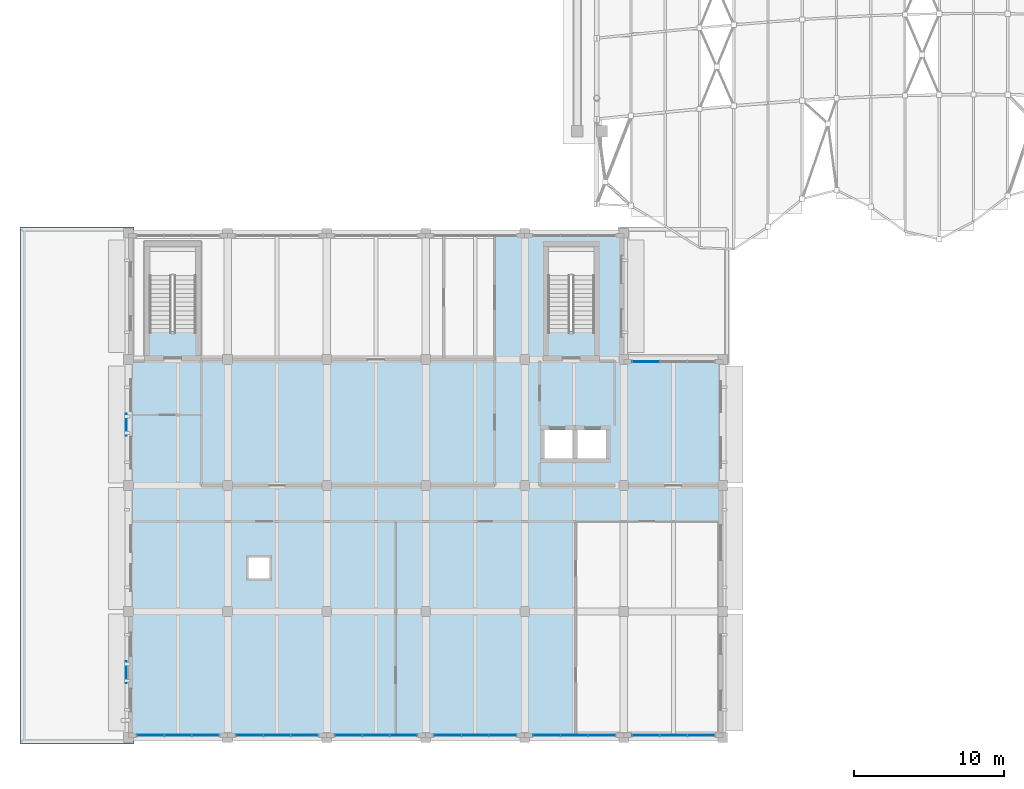
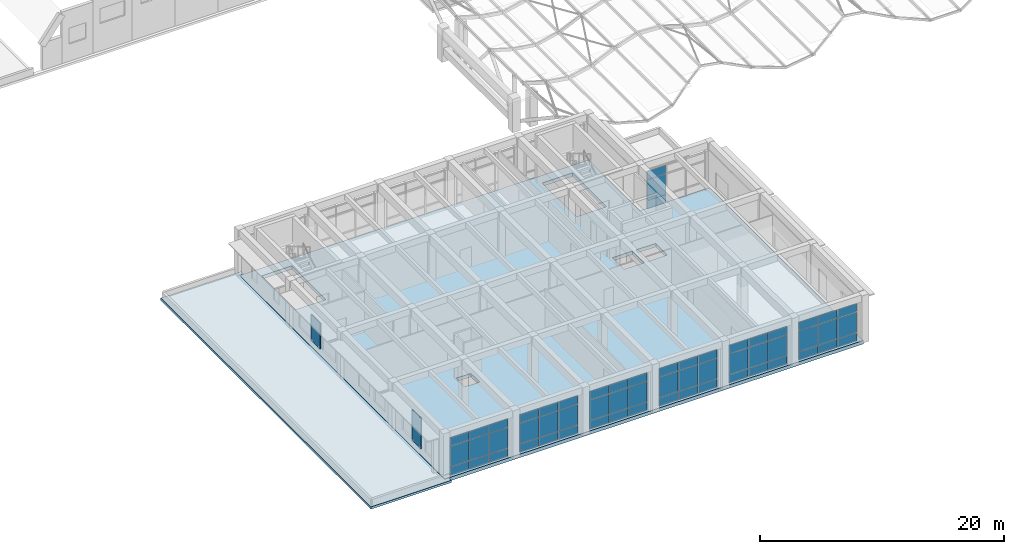
# One storey, part 33 of 79: 59 plates, 2 slabs, 7 elements without a shape of their own.
"""IFC4 building model written with IfcOpenShell, lengths in metres."""

from ifc_helpers import new_model, si_unit, direction, frame, origin, origin_2d, place, context, subcontext, project, spatial, polyline, rectangle, outline, extrude, material, layer, layer_set, type_object, element, aggregate, save


model = new_model("IFC4")

# Units and contexts
model_context = context("Model", 3, precision=1e-05, world=origin(), true_north=direction((0.0, 1.0)))
body_context = subcontext(model_context, "Body", "Model", "MODEL_VIEW")
ifc_project = project(units=[si_unit("LENGTHUNIT", "METRE"), si_unit("AREAUNIT", "SQUARE_METRE"), si_unit("VOLUMEUNIT", "CUBIC_METRE"), si_unit("PLANEANGLEUNIT", "RADIAN"), si_unit("MASSUNIT", "GRAM", prefix="KILO")], contexts=[model_context])

# Site, building, storey
site_placement = place(None, origin())
site = spatial("IfcSite", under=ifc_project, at=site_placement, CompositionType="ELEMENT")
building_placement = place(site_placement, origin())
building = spatial("IfcBuilding", under=site, at=building_placement, Name="Kolvaren Faculty of Natural Sciences", CompositionType="ELEMENT")
storey_placement = place(building_placement, frame((0.0, 0.0, 10.199951171875)))
storey = spatial("IfcBuildingStorey", under=building, at=storey_placement, Name="L02", CompositionType="ELEMENT", Elevation=10.199951171875)

# Curtain wall, plate
ifc_material_1 = material(Name="Thermally broken anodised aluminium framing", Category="aluminium")
ifc_layer_1 = layer(ifc_material_1, 0.179931640625)
ifc_layer_set_1 = layer_set([ifc_layer_1], Name="Thermally broken anodised aluminium framing")
curtain_wall_type = type_object("IfcCurtainWallType", Name="CommonsCurtainWall_CW02", PredefinedType="NOTDEFINED", material=ifc_layer_set_1)
curtain_wall_1_placement = place(storey_placement, origin())
curtain_wall_1 = element("IfcCurtainWall", 1, at=curtain_wall_1_placement, inside=storey, type_object=curtain_wall_type, Name="L02 unitised curtain wall CW-02 (CW-L02-076)", PredefinedType="NOTDEFINED")
ifc_material_2 = material(Name="Double low-E solar control insulated glazing", Category="glass")
ifc_layer_2 = layer(ifc_material_2, 0.035888671875)
ifc_layer_set_2 = layer_set([ifc_layer_2], Name="Double low-E solar control insulated glazing")
plate_type_1 = type_object("IfcPlateType", Name="EnvelopePlate_CWPGL1", PredefinedType="CURTAIN_PANEL", material=ifc_layer_set_2)
plate_1_placement = place(storey_placement, frame((41.2666015625, 33.64990234375, 0.920166015625), z_axis=(0.0, 0.0, 1.0), x_axis=(1.0, 0.0, 0.0)))
plate_1 = element("IfcPlate", 2, at=plate_1_placement, type_object=plate_type_1, Name="CW-L02-076 panel 1 V1", PredefinedType="CURTAIN_PANEL", context=body_context, shape_type="SweptSolid", body=[
    extrude(rectangle(XDim=1.783203125, YDim=0.035888671875, at=origin_2d()), origin(), (0.0, 0.0, 1.0), 2.044921875),
])

# Curtain wall, plates
curtain_wall_2_placement = place(storey_placement, origin())
curtain_wall_2 = element("IfcCurtainWall", 3, at=curtain_wall_2_placement, inside=storey, type_object=curtain_wall_type, Name="L02 unitised curtain wall CW-02 (CW-L02-077)", PredefinedType="NOTDEFINED")
plate_2_placement = place(storey_placement, frame((44.933349609375, 8.75, 0.920166015625), z_axis=(0.0, 0.0, 1.0), x_axis=(-1.0, 0.0, 0.0)))
plate_2 = element("IfcPlate", 4, at=plate_2_placement, type_object=plate_type_1, Name="CW-L02-077 panel 1 V1", PredefinedType="CURTAIN_PANEL", context=body_context, shape_type="SweptSolid", body=[
    extrude(rectangle(XDim=1.783203125, YDim=0.035888671875, at=origin_2d()), origin(), (0.0, 0.0, 1.0), 2.044921875),
])
plate_3_placement = place(storey_placement, frame((43.10009765625, 8.75, 0.920166015625), z_axis=(0.0, 0.0, 1.0), x_axis=(-1.0, 0.0, 0.0)))
plate_3 = element("IfcPlate", 5, at=plate_3_placement, type_object=plate_type_1, Name="CW-L02-077 panel 2 V1", PredefinedType="CURTAIN_PANEL", context=body_context, shape_type="SweptSolid", body=[
    extrude(rectangle(XDim=1.783203125, YDim=0.035888671875, at=origin_2d()), origin(), (0.0, 0.0, 1.0), 2.044921875),
])
plate_4_placement = place(storey_placement, frame((41.2666015625, 8.75, 0.920166015625), z_axis=(0.0, 0.0, 1.0), x_axis=(-1.0, 0.0, 0.0)))
plate_4 = element("IfcPlate", 6, at=plate_4_placement, type_object=plate_type_1, Name="CW-L02-077 panel 3 V1", PredefinedType="CURTAIN_PANEL", context=body_context, shape_type="SweptSolid", body=[
    extrude(rectangle(XDim=1.783203125, YDim=0.035888671875, at=origin_2d()), origin(), (0.0, 0.0, 1.0), 2.044921875),
])

curtain_wall_3_placement = place(storey_placement, origin())
curtain_wall_3 = element("IfcCurtainWall", 7, at=curtain_wall_3_placement, inside=storey, type_object=curtain_wall_type, Name="L02 unitised curtain wall CW-02 (CW-L02-078)", PredefinedType="NOTDEFINED")
plate_5_placement = place(storey_placement, frame((38.333251953125, 8.75, 0.920166015625), z_axis=(0.0, 0.0, 1.0), x_axis=(-1.0, 0.0, 0.0)))
plate_5 = element("IfcPlate", 8, at=plate_5_placement, type_object=plate_type_1, Name="CW-L02-078 panel 1 V1", PredefinedType="CURTAIN_PANEL", context=body_context, shape_type="SweptSolid", body=[
    extrude(rectangle(XDim=1.783203125, YDim=0.035888671875, at=origin_2d()), origin(), (0.0, 0.0, 1.0), 2.044921875),
])
plate_6_placement = place(storey_placement, frame((36.5, 8.75, 0.920166015625), z_axis=(0.0, 0.0, 1.0), x_axis=(-1.0, 0.0, 0.0)))
plate_6 = element("IfcPlate", 9, at=plate_6_placement, type_object=plate_type_1, Name="CW-L02-078 panel 2 V1", PredefinedType="CURTAIN_PANEL", context=body_context, shape_type="SweptSolid", body=[
    extrude(rectangle(XDim=1.783203125, YDim=0.035888671875, at=origin_2d()), origin(), (0.0, 0.0, 1.0), 2.044921875),
])
plate_7_placement = place(storey_placement, frame((34.666748046875, 8.75, 0.920166015625), z_axis=(0.0, 0.0, 1.0), x_axis=(-1.0, 0.0, 0.0)))
plate_7 = element("IfcPlate", 10, at=plate_7_placement, type_object=plate_type_1, Name="CW-L02-078 panel 3 V1", PredefinedType="CURTAIN_PANEL", context=body_context, shape_type="SweptSolid", body=[
    extrude(rectangle(XDim=1.783203125, YDim=0.035888671875, at=origin_2d()), origin(), (0.0, 0.0, 1.0), 2.044921875),
])

curtain_wall_4_placement = place(storey_placement, origin())
curtain_wall_4 = element("IfcCurtainWall", 11, at=curtain_wall_4_placement, inside=storey, type_object=curtain_wall_type, Name="L02 unitised curtain wall CW-02 (CW-L02-079)", PredefinedType="NOTDEFINED")
plate_8_placement = place(storey_placement, frame((31.7333984375, 8.75, 0.920166015625), z_axis=(0.0, 0.0, 1.0), x_axis=(-1.0, 0.0, 0.0)))
plate_8 = element("IfcPlate", 12, at=plate_8_placement, type_object=plate_type_1, Name="CW-L02-079 panel 1 V1", PredefinedType="CURTAIN_PANEL", context=body_context, shape_type="SweptSolid", body=[
    extrude(rectangle(XDim=1.783203125, YDim=0.035888671875, at=origin_2d()), origin(), (0.0, 0.0, 1.0), 2.044921875),
])
plate_9_placement = place(storey_placement, frame((29.89990234375, 8.75, 0.920166015625), z_axis=(0.0, 0.0, 1.0), x_axis=(-1.0, 0.0, 0.0)))
plate_9 = element("IfcPlate", 13, at=plate_9_placement, type_object=plate_type_1, Name="CW-L02-079 panel 2 V1", PredefinedType="CURTAIN_PANEL", context=body_context, shape_type="SweptSolid", body=[
    extrude(rectangle(XDim=1.783203125, YDim=0.035888671875, at=origin_2d()), origin(), (0.0, 0.0, 1.0), 2.044921875),
])
plate_10_placement = place(storey_placement, frame((28.066650390625, 8.75, 0.920166015625), z_axis=(0.0, 0.0, 1.0), x_axis=(-1.0, 0.0, 0.0)))
plate_10 = element("IfcPlate", 14, at=plate_10_placement, type_object=plate_type_1, Name="CW-L02-079 panel 3 V1", PredefinedType="CURTAIN_PANEL", context=body_context, shape_type="SweptSolid", body=[
    extrude(rectangle(XDim=1.783203125, YDim=0.035888671875, at=origin_2d()), origin(), (0.0, 0.0, 1.0), 2.044921875),
])

curtain_wall_5_placement = place(storey_placement, origin())
curtain_wall_5 = element("IfcCurtainWall", 15, at=curtain_wall_5_placement, inside=storey, type_object=curtain_wall_type, Name="L02 unitised curtain wall CW-02 (CW-L02-080)", PredefinedType="NOTDEFINED")
plate_11_placement = place(storey_placement, frame((25.13330078125, 8.75, 0.920166015625), z_axis=(0.0, 0.0, 1.0), x_axis=(-1.0, 0.0, 0.0)))
plate_11 = element("IfcPlate", 16, at=plate_11_placement, type_object=plate_type_1, Name="CW-L02-080 panel 1 V1", PredefinedType="CURTAIN_PANEL", context=body_context, shape_type="SweptSolid", body=[
    extrude(rectangle(XDim=1.783203125, YDim=0.035888671875, at=origin_2d()), origin(), (0.0, 0.0, 1.0), 2.044921875),
])
plate_12_placement = place(storey_placement, frame((23.300048828125, 8.75, 0.920166015625), z_axis=(0.0, 0.0, 1.0), x_axis=(-1.0, 0.0, 0.0)))
plate_12 = element("IfcPlate", 17, at=plate_12_placement, type_object=plate_type_1, Name="CW-L02-080 panel 2 V1", PredefinedType="CURTAIN_PANEL", context=body_context, shape_type="SweptSolid", body=[
    extrude(rectangle(XDim=1.783203125, YDim=0.035888671875, at=origin_2d()), origin(), (0.0, 0.0, 1.0), 2.044921875),
])
plate_13_placement = place(storey_placement, frame((21.466796875, 8.75, 0.920166015625), z_axis=(0.0, 0.0, 1.0), x_axis=(-1.0, 0.0, 0.0)))
plate_13 = element("IfcPlate", 18, at=plate_13_placement, type_object=plate_type_1, Name="CW-L02-080 panel 3 V1", PredefinedType="CURTAIN_PANEL", context=body_context, shape_type="SweptSolid", body=[
    extrude(rectangle(XDim=1.783203125, YDim=0.035888671875, at=origin_2d()), origin(), (0.0, 0.0, 1.0), 2.044921875),
])

curtain_wall_6_placement = place(storey_placement, origin())
curtain_wall_6 = element("IfcCurtainWall", 19, at=curtain_wall_6_placement, inside=storey, type_object=curtain_wall_type, Name="L02 unitised curtain wall CW-02 (CW-L02-081)", PredefinedType="NOTDEFINED")
plate_14_placement = place(storey_placement, frame((18.533203125, 8.75, 0.920166015625), z_axis=(0.0, 0.0, 1.0), x_axis=(-1.0, 0.0, 0.0)))
plate_14 = element("IfcPlate", 20, at=plate_14_placement, type_object=plate_type_1, Name="CW-L02-081 panel 1 V1", PredefinedType="CURTAIN_PANEL", context=body_context, shape_type="SweptSolid", body=[
    extrude(rectangle(XDim=1.783203125, YDim=0.035888671875, at=origin_2d()), origin(), (0.0, 0.0, 1.0), 2.044921875),
])
plate_15_placement = place(storey_placement, frame((16.699951171875, 8.75, 0.920166015625), z_axis=(0.0, 0.0, 1.0), x_axis=(-1.0, 0.0, 0.0)))
plate_15 = element("IfcPlate", 21, at=plate_15_placement, type_object=plate_type_1, Name="CW-L02-081 panel 2 V1", PredefinedType="CURTAIN_PANEL", context=body_context, shape_type="SweptSolid", body=[
    extrude(rectangle(XDim=1.783203125, YDim=0.035888671875, at=origin_2d()), origin(), (0.0, 0.0, 1.0), 2.044921875),
])
plate_16_placement = place(storey_placement, frame((14.86669921875, 8.75, 0.920166015625), z_axis=(0.0, 0.0, 1.0), x_axis=(-1.0, 0.0, 0.0)))
plate_16 = element("IfcPlate", 22, at=plate_16_placement, type_object=plate_type_1, Name="CW-L02-081 panel 3 V1", PredefinedType="CURTAIN_PANEL", context=body_context, shape_type="SweptSolid", body=[
    extrude(rectangle(XDim=1.783203125, YDim=0.035888671875, at=origin_2d()), origin(), (0.0, 0.0, 1.0), 2.044921875),
])

curtain_wall_7_placement = place(storey_placement, origin())
curtain_wall_7 = element("IfcCurtainWall", 23, at=curtain_wall_7_placement, inside=storey, type_object=curtain_wall_type, Name="L02 unitised curtain wall CW-02 (CW-L02-082)", PredefinedType="NOTDEFINED")
plate_17_placement = place(storey_placement, frame((11.933349609375, 8.75, 0.920166015625), z_axis=(0.0, 0.0, 1.0), x_axis=(-1.0, 0.0, 0.0)))
plate_17 = element("IfcPlate", 24, at=plate_17_placement, type_object=plate_type_1, Name="CW-L02-082 panel 1 V1", PredefinedType="CURTAIN_PANEL", context=body_context, shape_type="SweptSolid", body=[
    extrude(rectangle(XDim=1.783203125, YDim=0.035888671875, at=origin_2d()), origin(), (0.0, 0.0, 1.0), 2.044921875),
])
plate_18_placement = place(storey_placement, frame((10.10009765625, 8.75, 0.920166015625), z_axis=(0.0, 0.0, 1.0), x_axis=(-1.0, 0.0, 0.0)))
plate_18 = element("IfcPlate", 25, at=plate_18_placement, type_object=plate_type_1, Name="CW-L02-082 panel 2 V1", PredefinedType="CURTAIN_PANEL", context=body_context, shape_type="SweptSolid", body=[
    extrude(rectangle(XDim=1.783203125, YDim=0.035888671875, at=origin_2d()), origin(), (0.0, 0.0, 1.0), 2.044921875),
])
plate_19_placement = place(storey_placement, frame((8.2666015625, 8.75, 0.920166015625), z_axis=(0.0, 0.0, 1.0), x_axis=(-1.0, 0.0, 0.0)))
plate_19 = element("IfcPlate", 26, at=plate_19_placement, type_object=plate_type_1, Name="CW-L02-082 panel 3 V1", PredefinedType="CURTAIN_PANEL", context=body_context, shape_type="SweptSolid", body=[
    extrude(rectangle(XDim=1.783203125, YDim=0.035888671875, at=origin_2d()), origin(), (0.0, 0.0, 1.0), 2.044921875),
])

# Plate
ifc_layer_3 = layer(ifc_material_2, 0.035888671875)
ifc_layer_set_3 = layer_set([ifc_layer_3], Name="Double low-E solar control insulated glazing")
plate_type_2 = type_object("IfcPlateType", Name="EnvelopePlate_CWPGL2", PredefinedType="CURTAIN_PANEL", material=ifc_layer_set_3)
plate_20_placement = place(storey_placement, frame((41.2666015625, 33.64990234375, 3.005126953125), z_axis=(0.0, 0.0, 1.0), x_axis=(1.0, 0.0, 0.0)))
plate_20 = element("IfcPlate", 27, at=plate_20_placement, type_object=plate_type_2, Name="CW-L02-076 panel 1 V2", PredefinedType="CURTAIN_PANEL", context=body_context, shape_type="SweptSolid", body=[
    extrude(rectangle(XDim=1.783203125, YDim=0.035888671875, at=origin_2d()), origin(), (0.0, 0.0, 1.0), 0.830078125),
])

plate_21_placement = place(storey_placement, frame((44.933349609375, 8.75, 3.005126953125), z_axis=(0.0, 0.0, 1.0), x_axis=(-1.0, 0.0, 0.0)))
plate_21 = element("IfcPlate", 28, at=plate_21_placement, type_object=plate_type_2, Name="CW-L02-077 panel 1 V2", PredefinedType="CURTAIN_PANEL", context=body_context, shape_type="SweptSolid", body=[
    extrude(rectangle(XDim=1.783203125, YDim=0.035888671875, at=origin_2d()), origin(), (0.0, 0.0, 1.0), 0.830078125),
])

plate_22_placement = place(storey_placement, frame((43.10009765625, 8.75, 3.005126953125), z_axis=(0.0, 0.0, 1.0), x_axis=(-1.0, 0.0, 0.0)))
plate_22 = element("IfcPlate", 29, at=plate_22_placement, type_object=plate_type_2, Name="CW-L02-077 panel 2 V2", PredefinedType="CURTAIN_PANEL", context=body_context, shape_type="SweptSolid", body=[
    extrude(rectangle(XDim=1.783203125, YDim=0.035888671875, at=origin_2d()), origin(), (0.0, 0.0, 1.0), 0.830078125),
])

plate_23_placement = place(storey_placement, frame((41.2666015625, 8.75, 3.005126953125), z_axis=(0.0, 0.0, 1.0), x_axis=(-1.0, 0.0, 0.0)))
plate_23 = element("IfcPlate", 30, at=plate_23_placement, type_object=plate_type_2, Name="CW-L02-077 panel 3 V2", PredefinedType="CURTAIN_PANEL", context=body_context, shape_type="SweptSolid", body=[
    extrude(rectangle(XDim=1.783203125, YDim=0.035888671875, at=origin_2d()), origin(), (0.0, 0.0, 1.0), 0.830078125),
])

plate_24_placement = place(storey_placement, frame((38.333251953125, 8.75, 3.005126953125), z_axis=(0.0, 0.0, 1.0), x_axis=(-1.0, 0.0, 0.0)))
plate_24 = element("IfcPlate", 31, at=plate_24_placement, type_object=plate_type_2, Name="CW-L02-078 panel 1 V2", PredefinedType="CURTAIN_PANEL", context=body_context, shape_type="SweptSolid", body=[
    extrude(rectangle(XDim=1.783203125, YDim=0.035888671875, at=origin_2d()), origin(), (0.0, 0.0, 1.0), 0.830078125),
])

plate_25_placement = place(storey_placement, frame((36.5, 8.75, 3.005126953125), z_axis=(0.0, 0.0, 1.0), x_axis=(-1.0, 0.0, 0.0)))
plate_25 = element("IfcPlate", 32, at=plate_25_placement, type_object=plate_type_2, Name="CW-L02-078 panel 2 V2", PredefinedType="CURTAIN_PANEL", context=body_context, shape_type="SweptSolid", body=[
    extrude(rectangle(XDim=1.783203125, YDim=0.035888671875, at=origin_2d()), origin(), (0.0, 0.0, 1.0), 0.830078125),
])

plate_26_placement = place(storey_placement, frame((34.666748046875, 8.75, 3.005126953125), z_axis=(0.0, 0.0, 1.0), x_axis=(-1.0, 0.0, 0.0)))
plate_26 = element("IfcPlate", 33, at=plate_26_placement, type_object=plate_type_2, Name="CW-L02-078 panel 3 V2", PredefinedType="CURTAIN_PANEL", context=body_context, shape_type="SweptSolid", body=[
    extrude(rectangle(XDim=1.783203125, YDim=0.035888671875, at=origin_2d()), origin(), (0.0, 0.0, 1.0), 0.830078125),
])

plate_27_placement = place(storey_placement, frame((31.7333984375, 8.75, 3.005126953125), z_axis=(0.0, 0.0, 1.0), x_axis=(-1.0, 0.0, 0.0)))
plate_27 = element("IfcPlate", 34, at=plate_27_placement, type_object=plate_type_2, Name="CW-L02-079 panel 1 V2", PredefinedType="CURTAIN_PANEL", context=body_context, shape_type="SweptSolid", body=[
    extrude(rectangle(XDim=1.783203125, YDim=0.035888671875, at=origin_2d()), origin(), (0.0, 0.0, 1.0), 0.830078125),
])

plate_28_placement = place(storey_placement, frame((29.89990234375, 8.75, 3.005126953125), z_axis=(0.0, 0.0, 1.0), x_axis=(-1.0, 0.0, 0.0)))
plate_28 = element("IfcPlate", 35, at=plate_28_placement, type_object=plate_type_2, Name="CW-L02-079 panel 2 V2", PredefinedType="CURTAIN_PANEL", context=body_context, shape_type="SweptSolid", body=[
    extrude(rectangle(XDim=1.783203125, YDim=0.035888671875, at=origin_2d()), origin(), (0.0, 0.0, 1.0), 0.830078125),
])

plate_29_placement = place(storey_placement, frame((28.066650390625, 8.75, 3.005126953125), z_axis=(0.0, 0.0, 1.0), x_axis=(-1.0, 0.0, 0.0)))
plate_29 = element("IfcPlate", 36, at=plate_29_placement, type_object=plate_type_2, Name="CW-L02-079 panel 3 V2", PredefinedType="CURTAIN_PANEL", context=body_context, shape_type="SweptSolid", body=[
    extrude(rectangle(XDim=1.783203125, YDim=0.035888671875, at=origin_2d()), origin(), (0.0, 0.0, 1.0), 0.830078125),
])

plate_30_placement = place(storey_placement, frame((25.13330078125, 8.75, 3.005126953125), z_axis=(0.0, 0.0, 1.0), x_axis=(-1.0, 0.0, 0.0)))
plate_30 = element("IfcPlate", 37, at=plate_30_placement, type_object=plate_type_2, Name="CW-L02-080 panel 1 V2", PredefinedType="CURTAIN_PANEL", context=body_context, shape_type="SweptSolid", body=[
    extrude(rectangle(XDim=1.783203125, YDim=0.035888671875, at=origin_2d()), origin(), (0.0, 0.0, 1.0), 0.830078125),
])

plate_31_placement = place(storey_placement, frame((23.300048828125, 8.75, 3.005126953125), z_axis=(0.0, 0.0, 1.0), x_axis=(-1.0, 0.0, 0.0)))
plate_31 = element("IfcPlate", 38, at=plate_31_placement, type_object=plate_type_2, Name="CW-L02-080 panel 2 V2", PredefinedType="CURTAIN_PANEL", context=body_context, shape_type="SweptSolid", body=[
    extrude(rectangle(XDim=1.783203125, YDim=0.035888671875, at=origin_2d()), origin(), (0.0, 0.0, 1.0), 0.830078125),
])

plate_32_placement = place(storey_placement, frame((21.466796875, 8.75, 3.005126953125), z_axis=(0.0, 0.0, 1.0), x_axis=(-1.0, 0.0, 0.0)))
plate_32 = element("IfcPlate", 39, at=plate_32_placement, type_object=plate_type_2, Name="CW-L02-080 panel 3 V2", PredefinedType="CURTAIN_PANEL", context=body_context, shape_type="SweptSolid", body=[
    extrude(rectangle(XDim=1.783203125, YDim=0.035888671875, at=origin_2d()), origin(), (0.0, 0.0, 1.0), 0.830078125),
])

plate_33_placement = place(storey_placement, frame((18.533203125, 8.75, 3.005126953125), z_axis=(0.0, 0.0, 1.0), x_axis=(-1.0, 0.0, 0.0)))
plate_33 = element("IfcPlate", 40, at=plate_33_placement, type_object=plate_type_2, Name="CW-L02-081 panel 1 V2", PredefinedType="CURTAIN_PANEL", context=body_context, shape_type="SweptSolid", body=[
    extrude(rectangle(XDim=1.783203125, YDim=0.035888671875, at=origin_2d()), origin(), (0.0, 0.0, 1.0), 0.830078125),
])

plate_34_placement = place(storey_placement, frame((16.699951171875, 8.75, 3.005126953125), z_axis=(0.0, 0.0, 1.0), x_axis=(-1.0, 0.0, 0.0)))
plate_34 = element("IfcPlate", 41, at=plate_34_placement, type_object=plate_type_2, Name="CW-L02-081 panel 2 V2", PredefinedType="CURTAIN_PANEL", context=body_context, shape_type="SweptSolid", body=[
    extrude(rectangle(XDim=1.783203125, YDim=0.035888671875, at=origin_2d()), origin(), (0.0, 0.0, 1.0), 0.830078125),
])

plate_35_placement = place(storey_placement, frame((14.86669921875, 8.75, 3.005126953125), z_axis=(0.0, 0.0, 1.0), x_axis=(-1.0, 0.0, 0.0)))
plate_35 = element("IfcPlate", 42, at=plate_35_placement, type_object=plate_type_2, Name="CW-L02-081 panel 3 V2", PredefinedType="CURTAIN_PANEL", context=body_context, shape_type="SweptSolid", body=[
    extrude(rectangle(XDim=1.783203125, YDim=0.035888671875, at=origin_2d()), origin(), (0.0, 0.0, 1.0), 0.830078125),
])

plate_36_placement = place(storey_placement, frame((11.933349609375, 8.75, 3.005126953125), z_axis=(0.0, 0.0, 1.0), x_axis=(-1.0, 0.0, 0.0)))
plate_36 = element("IfcPlate", 43, at=plate_36_placement, type_object=plate_type_2, Name="CW-L02-082 panel 1 V2", PredefinedType="CURTAIN_PANEL", context=body_context, shape_type="SweptSolid", body=[
    extrude(rectangle(XDim=1.783203125, YDim=0.035888671875, at=origin_2d()), origin(), (0.0, 0.0, 1.0), 0.830078125),
])

plate_37_placement = place(storey_placement, frame((10.10009765625, 8.75, 3.005126953125), z_axis=(0.0, 0.0, 1.0), x_axis=(-1.0, 0.0, 0.0)))
plate_37 = element("IfcPlate", 44, at=plate_37_placement, type_object=plate_type_2, Name="CW-L02-082 panel 2 V2", PredefinedType="CURTAIN_PANEL", context=body_context, shape_type="SweptSolid", body=[
    extrude(rectangle(XDim=1.783203125, YDim=0.035888671875, at=origin_2d()), origin(), (0.0, 0.0, 1.0), 0.830078125),
])

plate_38_placement = place(storey_placement, frame((8.2666015625, 8.75, 3.005126953125), z_axis=(0.0, 0.0, 1.0), x_axis=(-1.0, 0.0, 0.0)))
plate_38 = element("IfcPlate", 45, at=plate_38_placement, type_object=plate_type_2, Name="CW-L02-082 panel 3 V2", PredefinedType="CURTAIN_PANEL", context=body_context, shape_type="SweptSolid", body=[
    extrude(rectangle(XDim=1.783203125, YDim=0.035888671875, at=origin_2d()), origin(), (0.0, 0.0, 1.0), 0.830078125),
])

ifc_material_3 = material(Name="Insulated anodised aluminium spandrel panel", Category="aluminium")
ifc_layer_4 = layer(ifc_material_3, 0.050048828125)
ifc_layer_set_4 = layer_set([ifc_layer_4], Name="Insulated anodised aluminium spandrel panel")
plate_type_3 = type_object("IfcPlateType", Name="EnvelopePlate_CWPSP1", PredefinedType="SHEET", material=ifc_layer_set_4)
plate_39_placement = place(storey_placement, frame((41.2666015625, 33.64990234375, 0.10009765625), z_axis=(0.0, 0.0, 1.0), x_axis=(1.0, 0.0, 0.0)))
plate_39 = element("IfcPlate", 46, at=plate_39_placement, type_object=plate_type_3, Name="CW-L02-076 panel 1 SP", PredefinedType="SHEET", context=body_context, shape_type="SweptSolid", body=[
    extrude(rectangle(XDim=1.783203125, YDim=0.050048828125, at=origin_2d()), origin(), (0.0, 0.0, 1.0), 0.780029296875),
])

aggregate(curtain_wall_1, [plate_39, plate_1, plate_20])

plate_40_placement = place(storey_placement, frame((44.933349609375, 8.75, 0.10009765625), z_axis=(0.0, 0.0, 1.0), x_axis=(-1.0, 0.0, 0.0)))
plate_40 = element("IfcPlate", 47, at=plate_40_placement, type_object=plate_type_3, Name="CW-L02-077 panel 1 SP", PredefinedType="SHEET", context=body_context, shape_type="SweptSolid", body=[
    extrude(rectangle(XDim=1.783203125, YDim=0.050048828125, at=origin_2d()), origin(), (0.0, 0.0, 1.0), 0.780029296875),
])

plate_41_placement = place(storey_placement, frame((43.10009765625, 8.75, 0.10009765625), z_axis=(0.0, 0.0, 1.0), x_axis=(-1.0, 0.0, 0.0)))
plate_41 = element("IfcPlate", 48, at=plate_41_placement, type_object=plate_type_3, Name="CW-L02-077 panel 2 SP", PredefinedType="SHEET", context=body_context, shape_type="SweptSolid", body=[
    extrude(rectangle(XDim=1.783203125, YDim=0.050048828125, at=origin_2d()), origin(), (0.0, 0.0, 1.0), 0.780029296875),
])

plate_42_placement = place(storey_placement, frame((41.2666015625, 8.75, 0.10009765625), z_axis=(0.0, 0.0, 1.0), x_axis=(-1.0, 0.0, 0.0)))
plate_42 = element("IfcPlate", 49, at=plate_42_placement, type_object=plate_type_3, Name="CW-L02-077 panel 3 SP", PredefinedType="SHEET", context=body_context, shape_type="SweptSolid", body=[
    extrude(rectangle(XDim=1.783203125, YDim=0.050048828125, at=origin_2d()), origin(), (0.0, 0.0, 1.0), 0.780029296875),
])

aggregate(curtain_wall_2, [plate_40, plate_2, plate_21, plate_41, plate_3, plate_22, plate_42, plate_4, plate_23])

plate_43_placement = place(storey_placement, frame((38.333251953125, 8.75, 0.10009765625), z_axis=(0.0, 0.0, 1.0), x_axis=(-1.0, 0.0, 0.0)))
plate_43 = element("IfcPlate", 50, at=plate_43_placement, type_object=plate_type_3, Name="CW-L02-078 panel 1 SP", PredefinedType="SHEET", context=body_context, shape_type="SweptSolid", body=[
    extrude(rectangle(XDim=1.783203125, YDim=0.050048828125, at=origin_2d()), origin(), (0.0, 0.0, 1.0), 0.780029296875),
])

plate_44_placement = place(storey_placement, frame((36.5, 8.75, 0.10009765625), z_axis=(0.0, 0.0, 1.0), x_axis=(-1.0, 0.0, 0.0)))
plate_44 = element("IfcPlate", 51, at=plate_44_placement, type_object=plate_type_3, Name="CW-L02-078 panel 2 SP", PredefinedType="SHEET", context=body_context, shape_type="SweptSolid", body=[
    extrude(rectangle(XDim=1.783203125, YDim=0.050048828125, at=origin_2d()), origin(), (0.0, 0.0, 1.0), 0.780029296875),
])

plate_45_placement = place(storey_placement, frame((34.666748046875, 8.75, 0.10009765625), z_axis=(0.0, 0.0, 1.0), x_axis=(-1.0, 0.0, 0.0)))
plate_45 = element("IfcPlate", 52, at=plate_45_placement, type_object=plate_type_3, Name="CW-L02-078 panel 3 SP", PredefinedType="SHEET", context=body_context, shape_type="SweptSolid", body=[
    extrude(rectangle(XDim=1.783203125, YDim=0.050048828125, at=origin_2d()), origin(), (0.0, 0.0, 1.0), 0.780029296875),
])

aggregate(curtain_wall_3, [plate_43, plate_5, plate_24, plate_44, plate_6, plate_25, plate_45, plate_7, plate_26])

plate_46_placement = place(storey_placement, frame((31.7333984375, 8.75, 0.10009765625), z_axis=(0.0, 0.0, 1.0), x_axis=(-1.0, 0.0, 0.0)))
plate_46 = element("IfcPlate", 53, at=plate_46_placement, type_object=plate_type_3, Name="CW-L02-079 panel 1 SP", PredefinedType="SHEET", context=body_context, shape_type="SweptSolid", body=[
    extrude(rectangle(XDim=1.783203125, YDim=0.050048828125, at=origin_2d()), origin(), (0.0, 0.0, 1.0), 0.780029296875),
])

plate_47_placement = place(storey_placement, frame((29.89990234375, 8.75, 0.10009765625), z_axis=(0.0, 0.0, 1.0), x_axis=(-1.0, 0.0, 0.0)))
plate_47 = element("IfcPlate", 54, at=plate_47_placement, type_object=plate_type_3, Name="CW-L02-079 panel 2 SP", PredefinedType="SHEET", context=body_context, shape_type="SweptSolid", body=[
    extrude(rectangle(XDim=1.783203125, YDim=0.050048828125, at=origin_2d()), origin(), (0.0, 0.0, 1.0), 0.780029296875),
])

plate_48_placement = place(storey_placement, frame((28.066650390625, 8.75, 0.10009765625), z_axis=(0.0, 0.0, 1.0), x_axis=(-1.0, 0.0, 0.0)))
plate_48 = element("IfcPlate", 55, at=plate_48_placement, type_object=plate_type_3, Name="CW-L02-079 panel 3 SP", PredefinedType="SHEET", context=body_context, shape_type="SweptSolid", body=[
    extrude(rectangle(XDim=1.783203125, YDim=0.050048828125, at=origin_2d()), origin(), (0.0, 0.0, 1.0), 0.780029296875),
])

aggregate(curtain_wall_4, [plate_46, plate_8, plate_27, plate_47, plate_9, plate_28, plate_48, plate_10, plate_29])

plate_49_placement = place(storey_placement, frame((25.13330078125, 8.75, 0.10009765625), z_axis=(0.0, 0.0, 1.0), x_axis=(-1.0, 0.0, 0.0)))
plate_49 = element("IfcPlate", 56, at=plate_49_placement, type_object=plate_type_3, Name="CW-L02-080 panel 1 SP", PredefinedType="SHEET", context=body_context, shape_type="SweptSolid", body=[
    extrude(rectangle(XDim=1.783203125, YDim=0.050048828125, at=origin_2d()), origin(), (0.0, 0.0, 1.0), 0.780029296875),
])

plate_50_placement = place(storey_placement, frame((23.300048828125, 8.75, 0.10009765625), z_axis=(0.0, 0.0, 1.0), x_axis=(-1.0, 0.0, 0.0)))
plate_50 = element("IfcPlate", 57, at=plate_50_placement, type_object=plate_type_3, Name="CW-L02-080 panel 2 SP", PredefinedType="SHEET", context=body_context, shape_type="SweptSolid", body=[
    extrude(rectangle(XDim=1.783203125, YDim=0.050048828125, at=origin_2d()), origin(), (0.0, 0.0, 1.0), 0.780029296875),
])

plate_51_placement = place(storey_placement, frame((21.466796875, 8.75, 0.10009765625), z_axis=(0.0, 0.0, 1.0), x_axis=(-1.0, 0.0, 0.0)))
plate_51 = element("IfcPlate", 58, at=plate_51_placement, type_object=plate_type_3, Name="CW-L02-080 panel 3 SP", PredefinedType="SHEET", context=body_context, shape_type="SweptSolid", body=[
    extrude(rectangle(XDim=1.783203125, YDim=0.050048828125, at=origin_2d()), origin(), (0.0, 0.0, 1.0), 0.780029296875),
])

aggregate(curtain_wall_5, [plate_49, plate_11, plate_30, plate_50, plate_12, plate_31, plate_51, plate_13, plate_32])

plate_52_placement = place(storey_placement, frame((18.533203125, 8.75, 0.10009765625), z_axis=(0.0, 0.0, 1.0), x_axis=(-1.0, 0.0, 0.0)))
plate_52 = element("IfcPlate", 59, at=plate_52_placement, type_object=plate_type_3, Name="CW-L02-081 panel 1 SP", PredefinedType="SHEET", context=body_context, shape_type="SweptSolid", body=[
    extrude(rectangle(XDim=1.783203125, YDim=0.050048828125, at=origin_2d()), origin(), (0.0, 0.0, 1.0), 0.780029296875),
])

plate_53_placement = place(storey_placement, frame((16.699951171875, 8.75, 0.10009765625), z_axis=(0.0, 0.0, 1.0), x_axis=(-1.0, 0.0, 0.0)))
plate_53 = element("IfcPlate", 60, at=plate_53_placement, type_object=plate_type_3, Name="CW-L02-081 panel 2 SP", PredefinedType="SHEET", context=body_context, shape_type="SweptSolid", body=[
    extrude(rectangle(XDim=1.783203125, YDim=0.050048828125, at=origin_2d()), origin(), (0.0, 0.0, 1.0), 0.780029296875),
])

plate_54_placement = place(storey_placement, frame((14.86669921875, 8.75, 0.10009765625), z_axis=(0.0, 0.0, 1.0), x_axis=(-1.0, 0.0, 0.0)))
plate_54 = element("IfcPlate", 61, at=plate_54_placement, type_object=plate_type_3, Name="CW-L02-081 panel 3 SP", PredefinedType="SHEET", context=body_context, shape_type="SweptSolid", body=[
    extrude(rectangle(XDim=1.783203125, YDim=0.050048828125, at=origin_2d()), origin(), (0.0, 0.0, 1.0), 0.780029296875),
])

aggregate(curtain_wall_6, [plate_52, plate_14, plate_33, plate_53, plate_15, plate_34, plate_54, plate_16, plate_35])

plate_55_placement = place(storey_placement, frame((11.933349609375, 8.75, 0.10009765625), z_axis=(0.0, 0.0, 1.0), x_axis=(-1.0, 0.0, 0.0)))
plate_55 = element("IfcPlate", 62, at=plate_55_placement, type_object=plate_type_3, Name="CW-L02-082 panel 1 SP", PredefinedType="SHEET", context=body_context, shape_type="SweptSolid", body=[
    extrude(rectangle(XDim=1.783203125, YDim=0.050048828125, at=origin_2d()), origin(), (0.0, 0.0, 1.0), 0.780029296875),
])

plate_56_placement = place(storey_placement, frame((10.10009765625, 8.75, 0.10009765625), z_axis=(0.0, 0.0, 1.0), x_axis=(-1.0, 0.0, 0.0)))
plate_56 = element("IfcPlate", 63, at=plate_56_placement, type_object=plate_type_3, Name="CW-L02-082 panel 2 SP", PredefinedType="SHEET", context=body_context, shape_type="SweptSolid", body=[
    extrude(rectangle(XDim=1.783203125, YDim=0.050048828125, at=origin_2d()), origin(), (0.0, 0.0, 1.0), 0.780029296875),
])

plate_57_placement = place(storey_placement, frame((8.2666015625, 8.75, 0.10009765625), z_axis=(0.0, 0.0, 1.0), x_axis=(-1.0, 0.0, 0.0)))
plate_57 = element("IfcPlate", 64, at=plate_57_placement, type_object=plate_type_3, Name="CW-L02-082 panel 3 SP", PredefinedType="SHEET", context=body_context, shape_type="SweptSolid", body=[
    extrude(rectangle(XDim=1.783203125, YDim=0.050048828125, at=origin_2d()), origin(), (0.0, 0.0, 1.0), 0.780029296875),
])

aggregate(curtain_wall_7, [plate_55, plate_17, plate_36, plate_56, plate_18, plate_37, plate_57, plate_19, plate_38])

# Plates
ifc_material_4 = material(Name="Extruded architectural terracotta screen", Category="masonry")
ifc_layer_5 = layer(ifc_material_4, 0.06494140625)
ifc_layer_set_5 = layer_set([ifc_layer_5], Name="Extruded architectural terracotta screen")
plate_type_4 = type_object("IfcPlateType", Name="EnvelopePlate_JL01", PredefinedType="USERDEFINED", material=ifc_layer_set_5)
plate_58_placement = place(storey_placement, frame((6.659912109375, 29.449951171875, 0.85009765625), z_axis=(0.0, 0.0, 1.0), x_axis=(0.0, 1.0, 0.0)))
element("IfcPlate", 65, at=plate_58_placement, inside=storey, type_object=plate_type_4, Name="L02 perforated terracotta jali sun screen JL-01", ObjectType="SCREEN", PredefinedType="USERDEFINED", context=body_context, shape_type="SweptSolid", body=[
    extrude(rectangle(XDim=1.449951171875, YDim=0.06494140625, at=origin_2d()), origin(), (0.0, 0.0, 1.0), 2.60009765625),
])
ifc_layer_6 = layer(ifc_material_4, 0.06494140625)
ifc_layer_set_6 = layer_set([ifc_layer_6], Name="Extruded architectural terracotta screen")
plate_type_5 = type_object("IfcPlateType", Name="EnvelopePlate_JL03", PredefinedType="USERDEFINED", material=ifc_layer_set_6)
plate_59_placement = place(storey_placement, frame((6.659912109375, 12.949951171875, 0.85009765625), z_axis=(0.0, 0.0, 1.0), x_axis=(0.0, 1.0, 0.0)))
element("IfcPlate", 66, at=plate_59_placement, inside=storey, type_object=plate_type_5, Name="L02 perforated terracotta jali sun screen JL-03", ObjectType="SCREEN", PredefinedType="USERDEFINED", context=body_context, shape_type="SweptSolid", body=[
    extrude(rectangle(XDim=1.449951171875, YDim=0.06494140625, at=origin_2d()), origin(), (0.0, 0.0, 1.0), 3.10009765625),
])

# Slabs
ifc_material_5 = material(Name="Concrete C35/45", Category="concrete")
ifc_layer_7 = layer(ifc_material_5, 0.219970703125)
ifc_layer_set_7 = layer_set([ifc_layer_7], Name="Concrete C35/45")
slab_type_1 = type_object("IfcSlabType", Name="FlatWingRoofSlab_220", PredefinedType="ROOF", material=ifc_layer_set_7)
slab_1_placement = place(storey_placement, frame((0.0, 0.0, -0.219970703125)))
element("IfcSlab", 67, at=slab_1_placement, inside=storey, type_object=slab_type_1, Name="L02 flat reinforced concrete roof slab 1", PredefinedType="ROOF", context=body_context, shape_type="SweptSolid", body=[
    extrude(outline(polyline([(6.798095703125, 42.219970703125), (6.796142578125, 42.219482421875), (6.794189453125, 42.218994140625), (6.792236328125, 42.218505859375), (6.79052734375, 42.217529296875), (6.788818359375, 42.216552734375), (6.787353515625, 42.215576171875), (6.785888671875, 42.214111328125), (6.784423828125, 42.212646484375), (6.783447265625, 42.211181640625), (6.782470703125, 42.20947265625), (6.781494140625, 42.207763671875), (6.781005859375, 42.205810546875), (6.780517578125, 42.203857421875), (6.780029296875, 42.201904296875), (6.780029296875, 42.199951171875), (6.780029296875, 8.60009765625), (6.780029296875, 8.597900390625), (6.780517578125, 8.59619140625), (6.781005859375, 8.59423828125), (6.781494140625, 8.59228515625), (6.782470703125, 8.590576171875), (6.783447265625, 8.5888671875), (6.784423828125, 8.58740234375), (6.785888671875, 8.5859375), (6.787353515625, 8.58447265625), (6.788818359375, 8.58349609375), (6.79052734375, 8.58251953125), (6.792236328125, 8.58154296875), (6.794189453125, 8.580810546875), (6.796142578125, 8.580322265625), (6.798095703125, 8.580078125), (6.800048828125, 8.580078125), (7.179931640625, 8.580078125), (7.179931640625, 8.169921875), (-0.429931640625, 8.169921875), (-0.429931640625, 42.6298828125), (7.179931640625, 42.6298828125), (7.179931640625, 42.219970703125), (6.800048828125, 42.219970703125), (6.798095703125, 42.219970703125)])), origin(), (0.0, 0.0, 1.0), 0.219970703125),
])
ifc_material_6 = material(Name="Concrete C40/50", Category="concrete")
ifc_layer_8 = layer(ifc_material_6, 0.35009765625)
ifc_layer_set_8 = layer_set([ifc_layer_8], Name="Concrete C40/50")
slab_type_2 = type_object("IfcSlabType", Name="TransferSlab_350", PredefinedType="FLOOR", material=ifc_layer_set_8)
slab_2_placement = place(storey_placement, frame((0.0, 0.0, -0.349853515625)))
element("IfcSlab", 68, at=slab_2_placement, inside=storey, type_object=slab_type_2, Name="L02 V4 structural slab 1", PredefinedType="FLOOR", context=body_context, shape_type="SweptSolid", body=[
    extrude(outline(polyline([(46.39990234375, 8.60009765625), (6.800048828125, 8.60009765625), (6.800048828125, 33.800048828125), (6.800048828125, 42.199951171875), (39.800048828125, 42.199951171875), (39.800048828125, 33.800048828125), (46.39990234375, 33.800048828125), (46.39990234375, 8.60009765625)]), holes=[polyline([(38.60009765625, 29.10009765625), (36.699951171875, 29.10009765625), (36.699951171875, 27.199951171875), (38.60009765625, 27.199951171875), (38.60009765625, 29.10009765625)]), polyline([(37.72998046875, 41.22998046875), (34.8701171875, 41.22998046875), (34.8701171875, 35.669921875), (37.72998046875, 35.669921875), (37.72998046875, 41.22998046875)]), polyline([(36.39990234375, 29.10009765625), (34.5, 29.10009765625), (34.5, 27.199951171875), (36.39990234375, 27.199951171875), (36.39990234375, 29.10009765625)]), polyline([(16.199951171875, 20.60009765625), (14.800048828125, 20.60009765625), (14.800048828125, 19.199951171875), (16.199951171875, 19.199951171875), (16.199951171875, 20.60009765625)]), polyline([(11.179931640625, 41.22998046875), (8.320068359375, 41.22998046875), (8.320068359375, 35.669921875), (11.179931640625, 35.669921875), (11.179931640625, 41.22998046875)])]), origin(), (0.0, 0.0, 1.0), 0.349853515625),
])

save(model, "model.ifc")
